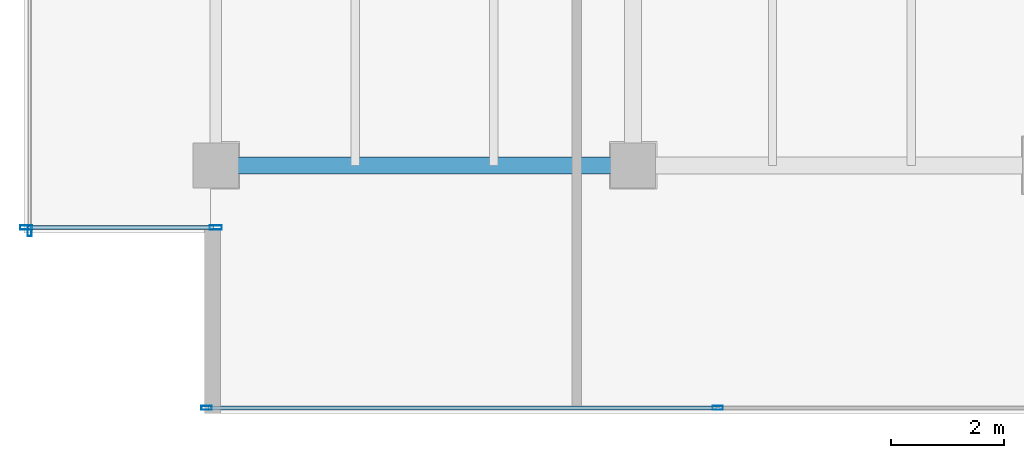
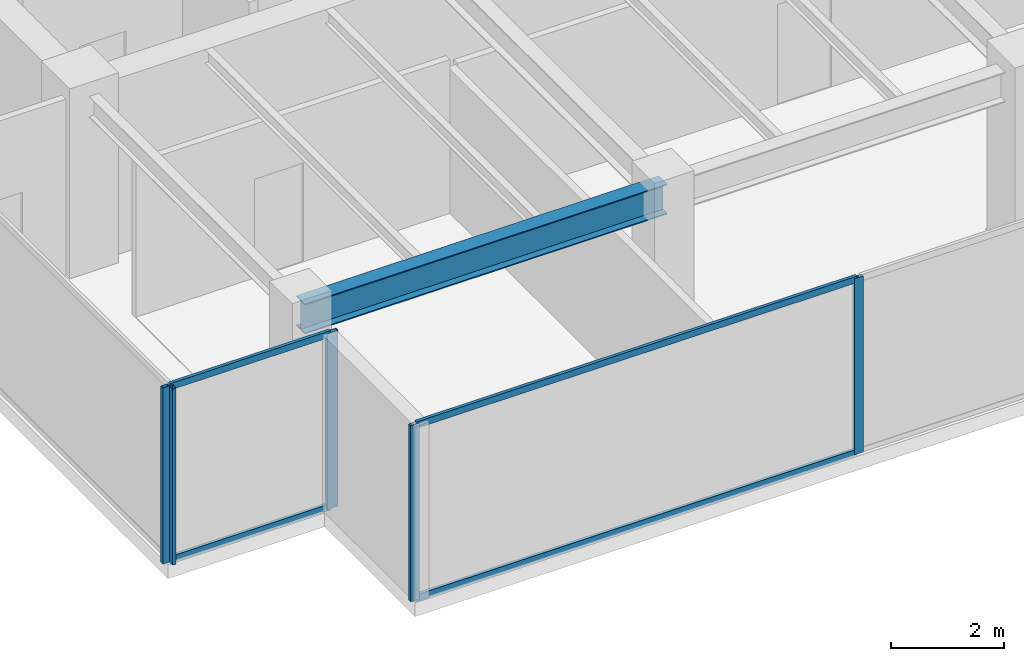
# One storey, part 5 of 35: 9 members, 1 beam, 3 elements without a shape of their own.
"""IFC4 building model written with IfcOpenShell, lengths in metres."""

from ifc_helpers import new_model, si_unit, direction, frame, origin, origin_2d, place, context, subcontext, project, spatial, hollow_rectangle, i_section, extrude, source, transform, mapped, material, layer, layer_set, material_profile, profile_set, type_object, type_shapes, element, aggregate, save


model = new_model("IFC4")

# Units and contexts
model_context = context("Model", 3, precision=1e-05, world=origin(), true_north=direction((0.0, 1.0)))
body_context = subcontext(model_context, "Body", "Model", "MODEL_VIEW")
ifc_project = project(units=[si_unit("LENGTHUNIT", "METRE"), si_unit("AREAUNIT", "SQUARE_METRE"), si_unit("VOLUMEUNIT", "CUBIC_METRE"), si_unit("PLANEANGLEUNIT", "RADIAN"), si_unit("MASSUNIT", "GRAM", prefix="KILO")], contexts=[model_context])

# Site, building, storey
site_placement = place(None, origin())
site = spatial("IfcSite", under=ifc_project, at=site_placement, CompositionType="ELEMENT")
building_placement = place(site_placement, origin())
building = spatial("IfcBuilding", under=site, at=building_placement, Name="Haelvirn Gate Laboratories", CompositionType="ELEMENT")
storey_placement = place(building_placement, frame((0.0, 0.0, 226.0)))
storey = spatial("IfcBuildingStorey", under=building, at=storey_placement, Name="L54", CompositionType="ELEMENT", Elevation=226.0)

# Beam
ifc_material_1 = material(Name="Steel SM355", Category="steel")
ifc_material_profile_1 = material_profile(ifc_material_1, i_section(OverallWidth=0.300048828125, OverallDepth=0.64990234375, WebThickness=0.012939453125, FlangeThickness=0.02197265625, at=origin_2d()), Name="H-650x300x13x22")
ifc_profile_set_1 = profile_set([ifc_material_profile_1], Name="Steel SM355")
beam_type = type_object("IfcBeamType", Name="BM-G-650", PredefinedType="BEAM", material=ifc_profile_set_1)
shared_shape_1 = source(origin(), body_context, "Body", "SweptSolid", [
    extrude(i_section(OverallWidth=0.300048828125, OverallDepth=0.64990234375, WebThickness=0.012939453125, FlangeThickness=0.02197265625, at=origin_2d()), origin(), (0.0, 0.0, 1.0), 7.400146484375),
])
type_shapes(beam_type, [shared_shape_1])
beam_placement = place(storey_placement, frame((7.39990234375, 7.0, 3.47509765625), z_axis=(1.0, 0.0, 0.0), x_axis=(0.0, 1.0, 0.0)))
element("IfcBeam", 1, at=beam_placement, inside=storey, type_object=beam_type, Name="L54 Primary Girder Y7.0 (7.4-14.8)", PredefinedType="BEAM", context=body_context, shape_type="MappedRepresentation", body=[
    mapped(shared_shape_1, transform((0.0, 0.0, 0.0), scale=1.0)),
])

# Curtain wall, members
ifc_material_2 = material(Name="Anodised bronze unitised aluminium & triple low-E glass", Category="aluminium")
ifc_layer_1 = layer(ifc_material_2, 0.181884765625, Name="CW-SYS-5")
ifc_layer_set_1 = layer_set([ifc_layer_1], Name="Anodised bronze unitised aluminium & triple low-E glass")
curtain_wall_type_1 = type_object("IfcCurtainWallType", Name="CW-SYS-5", PredefinedType="NOTDEFINED", material=ifc_layer_set_1)
curtain_wall_1_placement = place(storey_placement, origin())
curtain_wall_1 = element("IfcCurtainWall", 2, at=curtain_wall_1_placement, inside=storey, type_object=curtain_wall_type_1, Name="L54 Unitised Curtain Wall CW-L54-P0-E18-1", PredefinedType="NOTDEFINED")
ifc_material_3 = material(Name="Extruded aluminium 6063-T6 (anodised bronze)", Category="aluminium")
ifc_material_profile_2 = material_profile(ifc_material_3, hollow_rectangle(XDim=0.06494140625, YDim=0.139892578125, WallThickness=0.00390625, at=origin_2d()), Name="CWT-140x65x4")
ifc_profile_set_2 = profile_set([ifc_material_profile_2], Name="Extruded aluminium 6063-T6 (anodised bronze)")
member_type_1 = type_object("IfcMemberType", Name="CWT-T140", PredefinedType="USERDEFINED", material=ifc_profile_set_2)
shared_shape_2 = source(origin(), body_context, "Body", "SweptSolid", [
    extrude(hollow_rectangle(XDim=0.06494140625, YDim=0.139892578125, WallThickness=0.00390625, at=origin_2d()), origin(), (0.0, 0.0, 1.0), 3.280029296875),
])
member_1_placement = place(storey_placement, frame((4.080078125, 5.89990234375, 0.032470703125), z_axis=(1.0, 0.0, 0.0), x_axis=(0.0, 1.0, 0.0)))
member_1 = element("IfcMember", 3, at=member_1_placement, type_object=member_type_1, Name="CW5 transom 1.1", ObjectType="TRANSOM", PredefinedType="USERDEFINED", context=body_context, shape_type="MappedRepresentation", body=[
    mapped(shared_shape_2, transform((0.0, 0.0, 0.0), scale=1.0)),
])
member_2_placement = place(storey_placement, frame((4.080078125, 5.89990234375, 3.767578125), z_axis=(1.0, 0.0, 0.0), x_axis=(0.0, 1.0, 0.0)))
member_2 = element("IfcMember", 4, at=member_2_placement, type_object=member_type_1, Name="CW5 transom 1.2", ObjectType="TRANSOM", PredefinedType="USERDEFINED", context=body_context, shape_type="MappedRepresentation", body=[
    mapped(shared_shape_2, transform((0.0, 0.0, 0.0), scale=1.0)),
])

ifc_layer_2 = layer(ifc_material_2, 0.176025390625, Name="CW-SYS-4")
ifc_layer_set_2 = layer_set([ifc_layer_2], Name="Anodised bronze unitised aluminium & triple low-E glass")
curtain_wall_type_2 = type_object("IfcCurtainWallType", Name="CW-SYS-4", PredefinedType="NOTDEFINED", material=ifc_layer_set_2)
curtain_wall_2_placement = place(storey_placement, origin())
curtain_wall_2 = element("IfcCurtainWall", 5, at=curtain_wall_2_placement, inside=storey, type_object=curtain_wall_type_2, Name="L54 Unitised Curtain Wall CW-L54-P0-E00-1", PredefinedType="NOTDEFINED")
ifc_material_profile_3 = material_profile(ifc_material_3, hollow_rectangle(XDim=0.070068359375, YDim=0.179931640625, WallThickness=0.0048828125, at=origin_2d()), Name="CWM-180x70x5")
ifc_profile_set_3 = profile_set([ifc_material_profile_3], Name="Extruded aluminium 6063-T6 (anodised bronze)")
member_type_2 = type_object("IfcMemberType", Name="CWM-T180", PredefinedType="MULLION", material=ifc_profile_set_3)
shared_shape_3 = source(origin(), body_context, "Body", "SweptSolid", [
    extrude(hollow_rectangle(XDim=0.070068359375, YDim=0.179931640625, WallThickness=0.0048828125, at=origin_2d()), origin(), (0.0, 0.0, 1.0), 3.800048828125),
])
type_shapes(member_type_2, [shared_shape_3])
member_3_placement = place(storey_placement, frame((7.235107421875, 2.699951171875, 0.0), z_axis=(0.0, 0.0, 1.0), x_axis=(0.0, 1.0, 0.0)))
member_3 = element("IfcMember", 6, at=member_3_placement, type_object=member_type_2, Name="CW4 mullion 1", PredefinedType="MULLION", context=body_context, shape_type="MappedRepresentation", body=[
    mapped(shared_shape_3, transform((0.0, 0.0, 0.0), scale=1.0)),
])
member_4_placement = place(storey_placement, frame((16.300048828125, 2.699951171875, 0.0), z_axis=(0.0, 0.0, 1.0), x_axis=(0.0, 1.0, 0.0)))
member_4 = element("IfcMember", 7, at=member_4_placement, type_object=member_type_2, Name="CW4 mullion 2", PredefinedType="MULLION", context=body_context, shape_type="MappedRepresentation", body=[
    mapped(shared_shape_3, transform((0.0, 0.0, 0.0), scale=1.0)),
])

# Curtain wall, member
curtain_wall_3_placement = place(storey_placement, origin())
curtain_wall_3 = element("IfcCurtainWall", 8, at=curtain_wall_3_placement, inside=storey, type_object=curtain_wall_type_2, Name="L54 Unitised Curtain Wall CW-L54-P0-E17", PredefinedType="NOTDEFINED")
member_5_placement = place(storey_placement, frame((4.10009765625, 5.8349609375, 0.0), z_axis=(0.0, 0.0, 1.0), x_axis=(1.0, 0.0, 0.0)))
member_5 = element("IfcMember", 9, at=member_5_placement, type_object=member_type_2, Name="CW4 mullion 3", PredefinedType="MULLION", context=body_context, shape_type="MappedRepresentation", body=[
    mapped(shared_shape_3, transform((0.0, 0.0, 0.0), scale=1.0)),
])
aggregate(curtain_wall_3, [member_5])

# Member
shared_shape_4 = source(origin(), body_context, "Body", "SweptSolid", [
    extrude(hollow_rectangle(XDim=0.06494140625, YDim=0.139892578125, WallThickness=0.00390625, at=origin_2d()), origin(), (0.0, 0.0, 1.0), 8.994873046875),
])
type_shapes(member_type_1, [shared_shape_2, shared_shape_4])
member_6_placement = place(storey_placement, frame((7.27001953125, 2.699951171875, 0.032470703125), z_axis=(1.0, 0.0, 0.0), x_axis=(0.0, 1.0, 0.0)))
member_6 = element("IfcMember", 10, at=member_6_placement, type_object=member_type_1, Name="CW4 transom 1.1", ObjectType="TRANSOM", PredefinedType="USERDEFINED", context=body_context, shape_type="MappedRepresentation", body=[
    mapped(shared_shape_4, transform((0.0, 0.0, 0.0), scale=1.0)),
])

member_7_placement = place(storey_placement, frame((7.27001953125, 2.699951171875, 3.767578125), z_axis=(1.0, 0.0, 0.0), x_axis=(0.0, 1.0, 0.0)))
member_7 = element("IfcMember", 11, at=member_7_placement, type_object=member_type_1, Name="CW4 transom 1.2", ObjectType="TRANSOM", PredefinedType="USERDEFINED", context=body_context, shape_type="MappedRepresentation", body=[
    mapped(shared_shape_4, transform((0.0, 0.0, 0.0), scale=1.0)),
])

aggregate(curtain_wall_2, [member_3, member_4, member_6, member_7])

ifc_material_profile_4 = material_profile(ifc_material_3, hollow_rectangle(XDim=0.080078125, YDim=0.219970703125, WallThickness=0.006103515625, at=origin_2d()), Name="CWM-220x80x6")
ifc_profile_set_4 = profile_set([ifc_material_profile_4], Name="Extruded aluminium 6063-T6 (anodised bronze)")
member_type_3 = type_object("IfcMemberType", Name="CWM-T220", PredefinedType="MULLION", material=ifc_profile_set_4)
shared_shape_5 = source(origin(), body_context, "Body", "SweptSolid", [
    extrude(hollow_rectangle(XDim=0.080078125, YDim=0.219970703125, WallThickness=0.006103515625, at=origin_2d()), origin(), (0.0, 0.0, 1.0), 3.800048828125),
])
type_shapes(member_type_3, [shared_shape_5])
member_8_placement = place(storey_placement, frame((4.0400390625, 5.89990234375, 0.0), z_axis=(0.0, 0.0, 1.0), x_axis=(0.0, 1.0, 0.0)))
member_8 = element("IfcMember", 12, at=member_8_placement, type_object=member_type_3, Name="CW5 mullion 1", PredefinedType="MULLION", context=body_context, shape_type="MappedRepresentation", body=[
    mapped(shared_shape_5, transform((0.0, 0.0, 0.0), scale=1.0)),
])

member_9_placement = place(storey_placement, frame((7.39990234375, 5.89990234375, 0.0), z_axis=(0.0, 0.0, 1.0), x_axis=(0.0, 1.0, 0.0)))
member_9 = element("IfcMember", 13, at=member_9_placement, type_object=member_type_3, Name="CW5 mullion 2", PredefinedType="MULLION", context=body_context, shape_type="MappedRepresentation", body=[
    mapped(shared_shape_5, transform((0.0, 0.0, 0.0), scale=1.0)),
])

aggregate(curtain_wall_1, [member_8, member_9, member_1, member_2])

save(model, "model.ifc")
